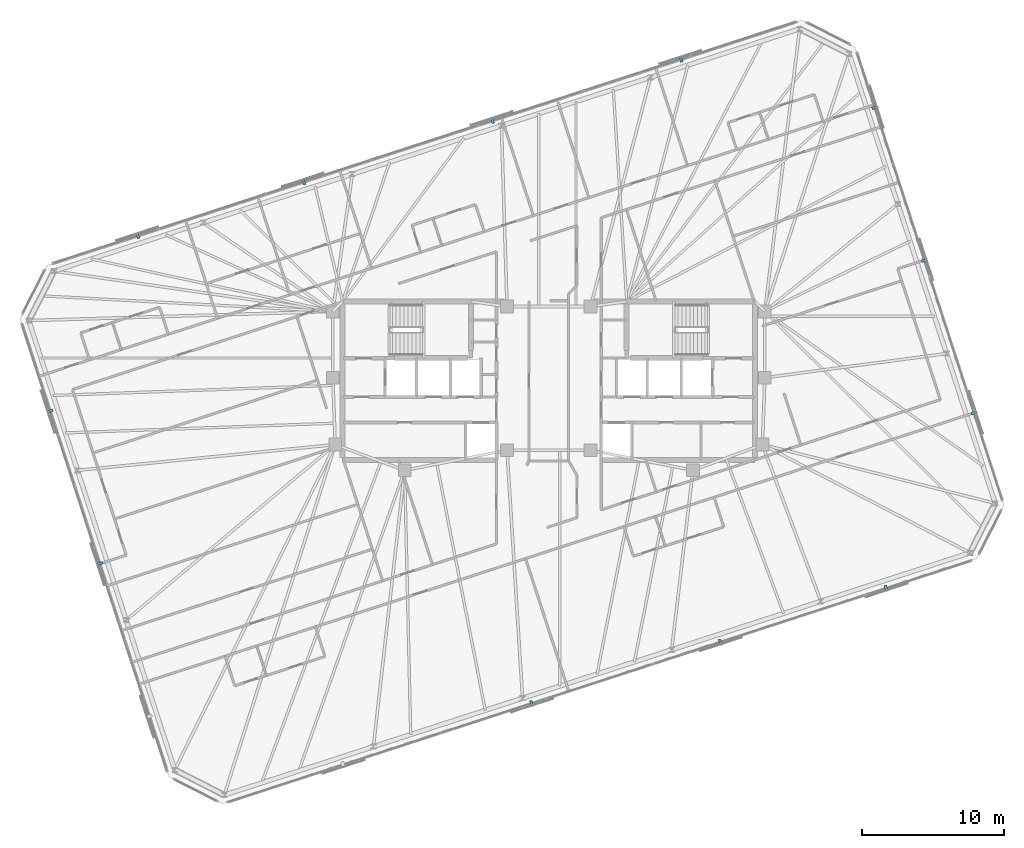
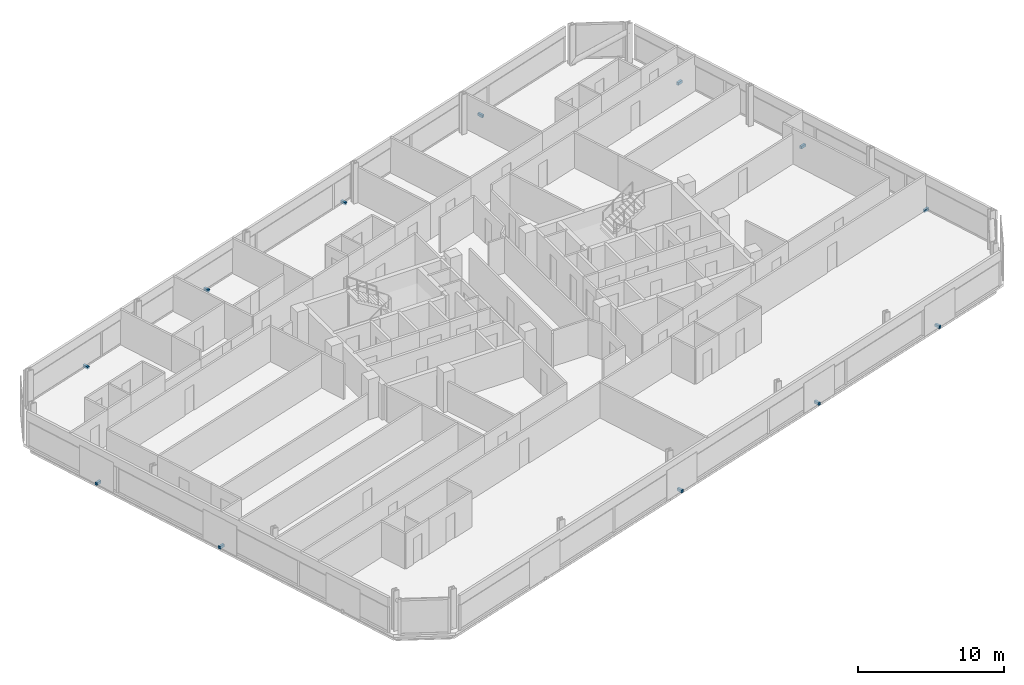
# One storey, part 18 of 19: 12 discrete accessories.
"""IFC4 building model written with IfcOpenShell, lengths in metres."""

from ifc_helpers import new_model, si_unit, direction, frame, origin, origin_2d, place, context, subcontext, project, spatial, rectangle, extrude, material, type_object, element, save


model = new_model("IFC4")

# Units and contexts
model_context = context("Model", 3, precision=1e-05, world=origin(), true_north=direction((0.0, 1.0)))
body_context = subcontext(model_context, "Body", "Model", "MODEL_VIEW")
ifc_project = project(units=[si_unit("LENGTHUNIT", "METRE"), si_unit("AREAUNIT", "SQUARE_METRE"), si_unit("VOLUMEUNIT", "CUBIC_METRE"), si_unit("PLANEANGLEUNIT", "RADIAN"), si_unit("MASSUNIT", "GRAM", prefix="KILO")], contexts=[model_context])

# Site, building, storey
site_placement = place(None, origin())
site = spatial("IfcSite", under=ifc_project, at=site_placement, CompositionType="ELEMENT")
building_placement = place(site_placement, origin())
building = spatial("IfcBuilding", under=site, at=building_placement, Name="Menara Jurai Vektor", CompositionType="ELEMENT")
storey_placement = place(building_placement, frame((0.0, 0.0, 251.10009765625)))
storey = spatial("IfcBuildingStorey", under=building, at=storey_placement, Name="L67", CompositionType="ELEMENT", Elevation=251.10009765625)

# Discrete accessories
ifc_material = material(Name="Steel S355", Category="steel")
discrete_accessory_type = type_object("IfcDiscreteAccessoryType", Name="ENV-ACC-BRACKET", PredefinedType="BRACKET", material=ifc_material)
for number, where, z_axis, x_axis, name in (
    (1, (-1.2099609375, -22.7880859375, -0.1298828125), (0.0, 0.0, 1.0), (0.951056516295, 0.309016994375, 0.0), "Solar Screen Stand-Off Bracket L67-S02"),
    (2, (12.10498046875, -18.4619140625, -0.1298828125), (0.0, 0.0, 1.0), (0.951056516295, 0.309016994375, 0.0), "Solar Screen Stand-Off Bracket L67-S03"),
    (3, (23.822021484375, -14.65478515625, -0.1298828125), (0.0, 0.0, 1.0), (0.951056516295, 0.309016994375, 0.0), "Solar Screen Stand-Off Bracket L67-S04"),
    (4, (30.026611328125, -2.26416015625, -0.1298828125), (0.0, 0.0, 1.0), (-0.309016994375, 0.951056516295, 0.0), "Solar Screen Stand-Off Bracket L67-S05"),
    (5, (26.5244140625, 8.514404296875, -0.1298828125), (0.0, 0.0, 1.0), (-0.309016994375, 0.951056516295, 0.0), "Solar Screen Stand-Off Bracket L67-S06"),
    (6, (23.0224609375, 19.29296875, -0.1298828125), (0.0, 0.0, 1.0), (-0.309016994375, 0.951056516295, 0.0), "Solar Screen Stand-Off Bracket L67-S07"),
    (7, (9.32470703125, 22.71435546875, -0.1298828125), (0.0, 0.0, 1.0), (-0.951056516295, -0.309016994375, 0.0), "Solar Screen Stand-Off Bracket L67-S08"),
    (8, (-3.989990234375, 18.38818359375, -0.1298828125), (0.0, 0.0, 1.0), (-0.951056516295, -0.309016994375, 0.0), "Solar Screen Stand-Off Bracket L67-S09"),
    (9, (-17.304931640625, 14.06201171875, -0.1298828125), (0.0, 0.0, 1.0), (-0.951056516295, -0.309016994375, 0.0), "Solar Screen Stand-Off Bracket L67-S10"),
    (10, (-29.02197265625, 10.2548828125, -0.1298828125), (0.0, 0.0, 1.0), (-0.951056516295, -0.309016994375, 0.0), "Solar Screen Stand-Off Bracket L67-S11"),
    (11, (-35.226806640625, -2.1357421875, -0.1298828125), (0.0, 0.0, 1.0), (0.309016994375, -0.951056516295, 0.0), "Solar Screen Stand-Off Bracket L67-S12"),
    (12, (-31.724609375, -12.914306640625, -0.1298828125), (0.0, 0.0, 1.0), (0.309016994375, -0.951056516295, 0.0), "Solar Screen Stand-Off Bracket L67-S13"),
):
    element("IfcDiscreteAccessory", number, at=place(storey_placement, frame(where, z_axis=z_axis, x_axis=x_axis)), inside=storey, type_object=discrete_accessory_type, Name=name, PredefinedType="BRACKET", context=body_context, shape_type="SweptSolid", body=[
        extrude(rectangle(XDim=0.179931640625, YDim=0.43994140625, at=origin_2d()), origin(), (0.0, 0.0, 1.0), 0.219970703125),
    ])

save(model, "model.ifc")
